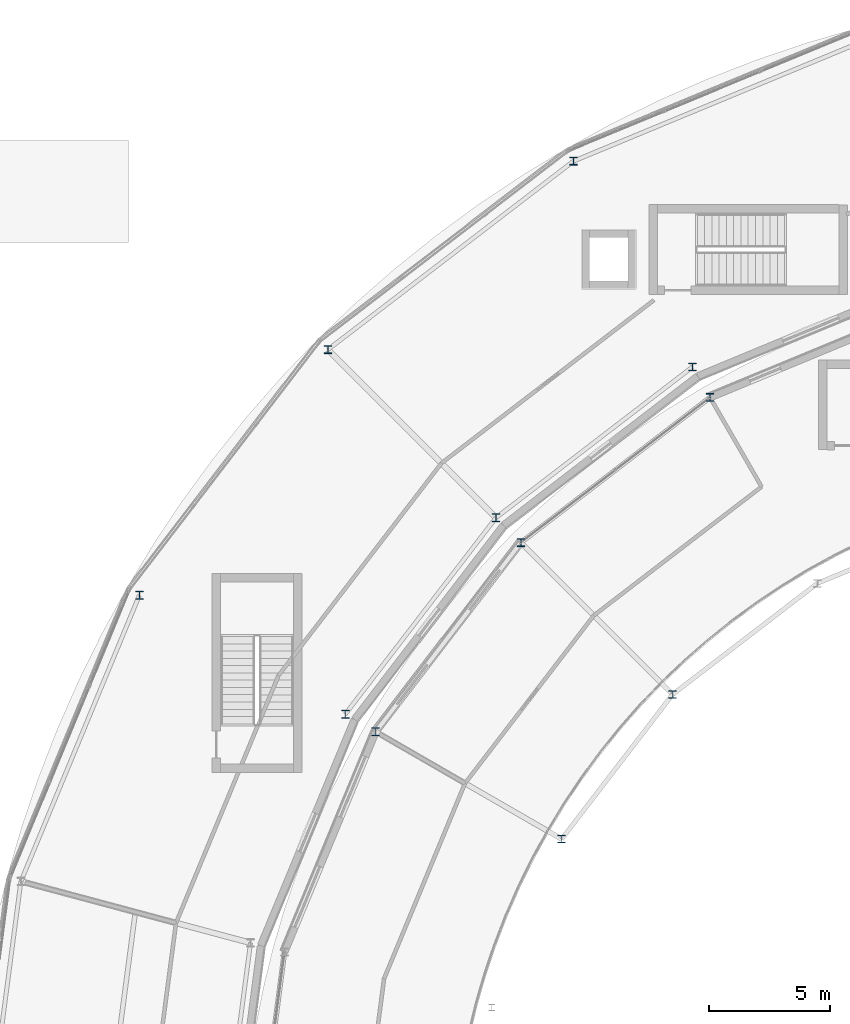
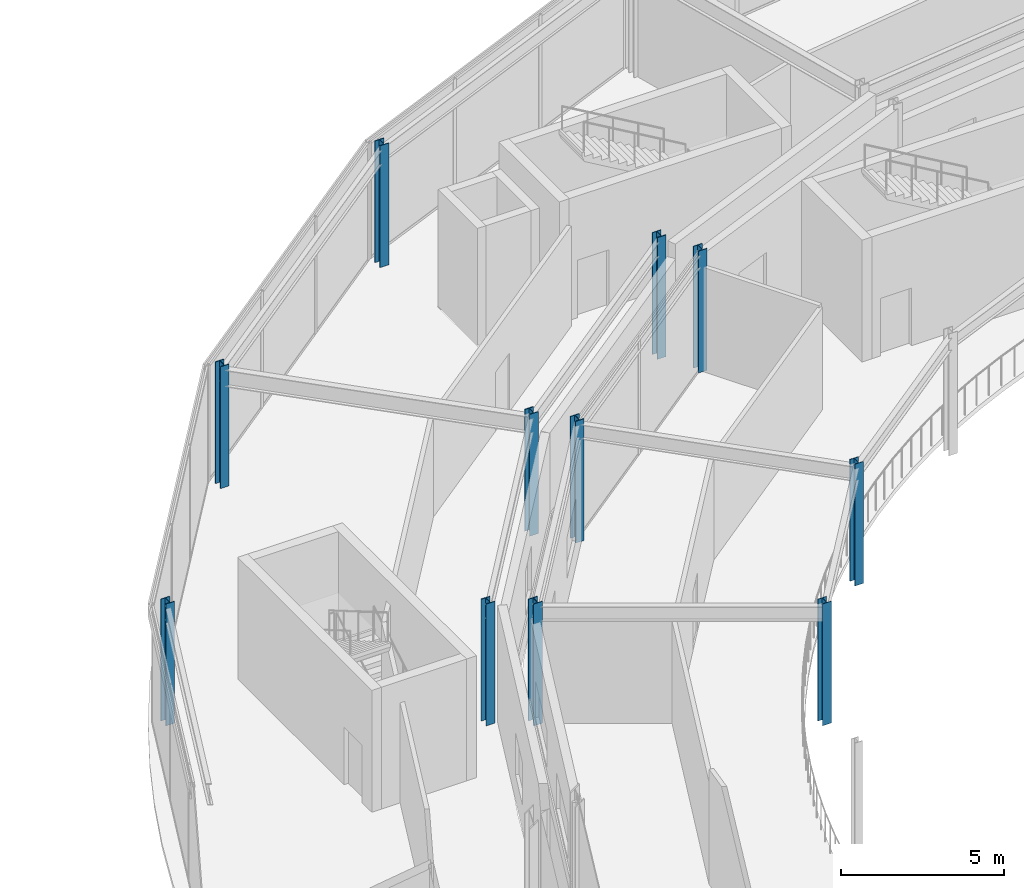
# One storey, part 10 of 133: 11 columns.
"""IFC4 building model written with IfcOpenShell, lengths in metres."""

from ifc_helpers import new_model, si_unit, direction, frame, origin, origin_2d, place, context, subcontext, project, spatial, i_section, extrude, material, material_profile, profile_set, type_object, element, save


model = new_model("IFC4")

# Units and contexts
model_context = context("Model", 3, precision=1e-05, world=origin(), true_north=direction((0.0, 1.0)))
body_context = subcontext(model_context, "Body", "Model", "MODEL_VIEW")
ifc_project = project(units=[si_unit("LENGTHUNIT", "METRE"), si_unit("AREAUNIT", "SQUARE_METRE"), si_unit("VOLUMEUNIT", "CUBIC_METRE"), si_unit("PLANEANGLEUNIT", "RADIAN"), si_unit("MASSUNIT", "GRAM", prefix="KILO")], contexts=[model_context])

# Site, building, storey
site_placement = place(None, origin())
site = spatial("IfcSite", under=ifc_project, at=site_placement, CompositionType="ELEMENT")
building_placement = place(site_placement, origin())
building = spatial("IfcBuilding", under=site, at=building_placement, Name="Almandine Court Research Institute", CompositionType="ELEMENT")
storey_placement = place(building_placement, frame((0.0, 0.0, 9.800048828125)))
storey = spatial("IfcBuildingStorey", under=building, at=storey_placement, Name="L02", CompositionType="ELEMENT", Elevation=9.800048828125)

# Columns
ifc_material = material(Name="Steel ASTM A992 Grade 50", Category="steel")
ifc_material_profile_1 = material_profile(ifc_material, i_section(OverallWidth=0.31005859375, OverallDepth=0.326904296875, WebThickness=0.01611328125, FlangeThickness=0.02490234375, at=origin_2d()), Name="W310x158")
ifc_profile_set_1 = profile_set([ifc_material_profile_1], Name="Steel ASTM A992 Grade 50")
column_type_1 = type_object("IfcColumnType", Name="Col-C-W06", PredefinedType="COLUMN", material=ifc_profile_set_1)
for number, where, z_axis, x_axis, name in (
    (1, (68.175048828125, 88.60595703125, 0.0), (0.0, 0.0, 1.0), (1.0, 0.0, 0.0), "L02 V2 Column V2-OUT-S08"),
    (2, (60.376953125, 82.623046875, 0.0), (0.0, 0.0, 1.0), (1.0, 0.0, 0.0), "L02 V2 Column V2-OUT-S09"),
    (3, (54.39404296875, 74.824951171875, 0.0), (0.0, 0.0, 1.0), (1.0, 0.0, 0.0), "L02 V2 Column V2-OUT-S10"),
):
    element("IfcColumn", number, at=place(storey_placement, frame(where, z_axis=z_axis, x_axis=x_axis)), inside=storey, type_object=column_type_1, Name=name, PredefinedType="COLUMN", context=body_context, shape_type="SweptSolid", body=[
        extrude(i_section(OverallWidth=0.31005859375, OverallDepth=0.326904296875, WebThickness=0.01611328125, FlangeThickness=0.02490234375, at=origin_2d()), origin(), (0.0, 0.0, 1.0), 4.550048828125),
    ])
ifc_material_profile_2 = material_profile(ifc_material, i_section(OverallWidth=0.31005859375, OverallDepth=0.326904296875, WebThickness=0.01611328125, FlangeThickness=0.02490234375, at=origin_2d()), Name="W310x158")
ifc_profile_set_2 = profile_set([ifc_material_profile_2], Name="Steel ASTM A992 Grade 50")
column_type_2 = type_object("IfcColumnType", Name="Col-C-W06-E", PredefinedType="COLUMN", material=ifc_profile_set_2)
for number, where, z_axis, x_axis, name in (
    (4, (67.449951171875, 89.862060546875, 0.0), (0.0, 0.0, 1.0), (1.0, 0.0, 0.0), "L02 V5 Column V5-IN-S08"),
    (5, (62.550048828125, 98.34912109375, 0.0), (0.0, 0.0, 1.0), (1.0, 0.0, 0.0), "L02 V5 Column V5-OUT-S08"),
    (6, (59.35205078125, 83.64794921875, 0.0), (0.0, 0.0, 1.0), (1.0, 0.0, 0.0), "L02 V5 Column V5-IN-S09"),
    (7, (52.422119140625, 90.577880859375, 0.0), (0.0, 0.0, 1.0), (1.0, 0.0, 0.0), "L02 V5 Column V5-OUT-S09"),
    (8, (53.137939453125, 75.550048828125, 0.0), (0.0, 0.0, 1.0), (1.0, 0.0, 0.0), "L02 V5 Column V5-IN-S10"),
    (9, (44.65087890625, 80.449951171875, 0.0), (0.0, 0.0, 1.0), (1.0, 0.0, 0.0), "L02 V5 Column V5-OUT-S10"),
):
    element("IfcColumn", number, at=place(storey_placement, frame(where, z_axis=z_axis, x_axis=x_axis)), inside=storey, type_object=column_type_2, Name=name, PredefinedType="COLUMN", context=body_context, shape_type="SweptSolid", body=[
        extrude(i_section(OverallWidth=0.31005859375, OverallDepth=0.326904296875, WebThickness=0.01611328125, FlangeThickness=0.02490234375, at=origin_2d()), origin(), (0.0, 0.0, 1.0), 4.550048828125),
    ])
ifc_material_profile_3 = material_profile(ifc_material, i_section(OverallWidth=0.305908203125, OverallDepth=0.31103515625, WebThickness=0.010986328125, FlangeThickness=0.01708984375, at=origin_2d()), Name="W310x107")
ifc_profile_set_3 = profile_set([ifc_material_profile_3], Name="Steel ASTM A992 Grade 50")
column_type_3 = type_object("IfcColumnType", Name="Col-C-W08", PredefinedType="COLUMN", material=ifc_profile_set_3)
for number, where, z_axis, x_axis, name in (
    (10, (66.635009765625, 76.364990234375, 0.0), (0.0, 0.0, 1.0), (1.0, 0.0, 0.0), "L02 V2 Column V2-MID-S09"),
    (11, (62.05810546875, 70.39990234375, 0.0), (0.0, 0.0, 1.0), (1.0, 0.0, 0.0), "L02 V2 Column V2-MID-S10"),
):
    element("IfcColumn", number, at=place(storey_placement, frame(where, z_axis=z_axis, x_axis=x_axis)), inside=storey, type_object=column_type_3, Name=name, PredefinedType="COLUMN", context=body_context, shape_type="SweptSolid", body=[
        extrude(i_section(OverallWidth=0.305908203125, OverallDepth=0.31103515625, WebThickness=0.010986328125, FlangeThickness=0.01708984375, at=origin_2d()), origin(), (0.0, 0.0, 1.0), 4.550048828125),
    ])

save(model, "model.ifc")
